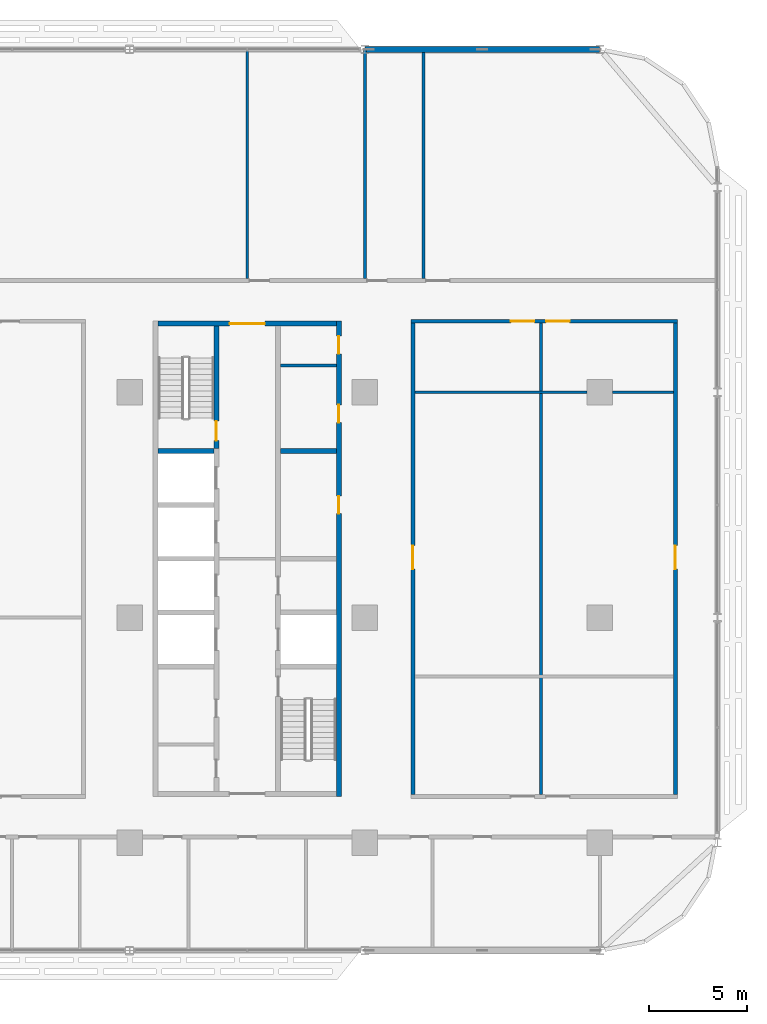
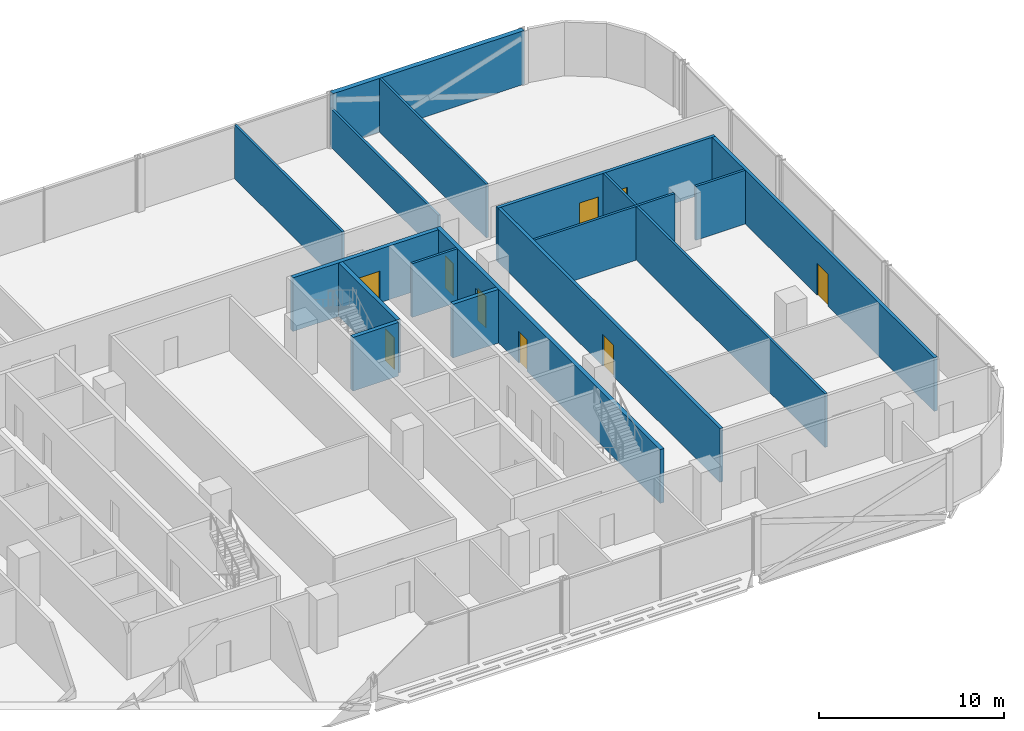
# One storey, part 18 of 29: 16 walls, 9 doors, 9 openings.
"""IFC4 building model written with IfcOpenShell, lengths in metres."""

from ifc_helpers import new_model, si_unit, direction, frame, frame_2d, origin, place, context, subcontext, project, spatial, rectangle, extrude, material, layer, layer_set, type_object, element, fill, save


model = new_model("IFC4")

# Units and contexts
model_context = context("Model", 3, precision=1e-05, world=origin(), true_north=direction((0.0, 1.0)))
body_context = subcontext(model_context, "Body", "Model", "MODEL_VIEW")
ifc_project = project(units=[si_unit("LENGTHUNIT", "METRE"), si_unit("AREAUNIT", "SQUARE_METRE"), si_unit("VOLUMEUNIT", "CUBIC_METRE"), si_unit("PLANEANGLEUNIT", "RADIAN"), si_unit("MASSUNIT", "GRAM", prefix="KILO")], contexts=[model_context])

# Site, building, storey
site_placement = place(None, origin())
site = spatial("IfcSite", under=ifc_project, at=site_placement, CompositionType="ELEMENT")
building_placement = place(site_placement, origin())
building = spatial("IfcBuilding", under=site, at=building_placement, Name="Mahtab Terrace Research Tower", CompositionType="ELEMENT")
storey_placement = place(building_placement, frame((0.0, 0.0, 150.699951171875)))
storey = spatial("IfcBuildingStorey", under=building, at=storey_placement, Name="L35", CompositionType="ELEMENT", Elevation=150.699951171875)

# Wall
ifc_material_1 = material(Name="Gypsum board partition")
ifc_layer_1 = layer(ifc_material_1, 0.14990234375)
ifc_layer_set_1 = layer_set([ifc_layer_1], Name="Core partition 150")
wall_type_1 = type_object("IfcWallType", Name="Core partition 150", PredefinedType="PARTITIONING", material=ifc_layer_set_1)
wall_1_placement = place(storey_placement, frame((25.699951171875, 12.875, 0.0), z_axis=(0.0, 0.0, 1.0), x_axis=(1.0, 0.0, 0.0)))
element("IfcWall", 1, at=wall_1_placement, inside=storey, type_object=wall_type_1, Name="Core wall C pEN988", PredefinedType="PARTITIONING", context=body_context, shape_type="SweptSolid", body=[
    extrude(rectangle(XDim=2.85009765625, YDim=0.14990234375, at=frame_2d((1.425048828125, 0.0))), origin(), (0.0, 0.0, 1.0), 3.550048828125),
])

# Wall, openings, doors
ifc_material_2 = material(Name="Concrete C70/85", Category="concrete")
ifc_layer_2 = layer(ifc_material_2, 0.25)
ifc_layer_set_2 = layer_set([ifc_layer_2], Name="Core wall 250")
wall_type_2 = type_object("IfcWallType", Name="Core wall 250", PredefinedType="SOLIDWALL", material=ifc_layer_set_2)
wall_2_placement = place(storey_placement, frame((28.675048828125, -9.125, 0.0), z_axis=(0.0, 0.0, 1.0), x_axis=(0.0, 1.0, 0.0)))
wall_2 = element("IfcWall", 2, at=wall_2_placement, inside=storey, type_object=wall_type_2, Name="Core wall C outerE", PredefinedType="SOLIDWALL", context=body_context, shape_type="SweptSolid", body=[
    extrude(rectangle(XDim=24.25, YDim=0.25, at=frame_2d((12.125, 0.0))), origin(), (0.0, 0.0, 1.0), 3.550048828125),
])
opening_1_placement = place(wall_2_placement, frame((14.425048828125, 0.0, 0.0)))
opening_1 = element("IfcOpeningElement", 3, at=opening_1_placement, cuts=wall_2, Name="Opening C-R2", PredefinedType="OPENING", context=body_context, shape_type="SweptSolid", body=[
    extrude(rectangle(XDim=0.89990234375, YDim=2.10009765625, at=frame_2d((0.449951171875, 1.050048828125))), frame((0.0, 0.135009765625, 0.0), z_axis=(0.0, -1.0, 0.0), x_axis=(1.0, 0.0, 0.0)), (0.0, 0.0, 1.0), 0.27001953125),
])
opening_2_placement = place(wall_2_placement, frame((19.074951171875, 0.0, 0.0)))
opening_2 = element("IfcOpeningElement", 4, at=opening_2_placement, cuts=wall_2, Name="Opening C-R5", PredefinedType="OPENING", context=body_context, shape_type="SweptSolid", body=[
    extrude(rectangle(XDim=0.89990234375, YDim=2.10009765625, at=frame_2d((0.449951171875, 1.050048828125))), frame((0.0, 0.135009765625, 0.0), z_axis=(0.0, -1.0, 0.0), x_axis=(1.0, 0.0, 0.0)), (0.0, 0.0, 1.0), 0.27001953125),
])
opening_3_placement = place(wall_2_placement, frame((22.58740234375, 0.0, 0.0)))
opening_3 = element("IfcOpeningElement", 5, at=opening_3_placement, cuts=wall_2, Name="Opening C-R6", PredefinedType="OPENING", context=body_context, shape_type="SweptSolid", body=[
    extrude(rectangle(XDim=0.89990234375, YDim=2.10009765625, at=frame_2d((0.449951171875, 1.050048828125))), frame((0.0, 0.135009765625, 0.0), z_axis=(0.0, -1.0, 0.0), x_axis=(1.0, 0.0, 0.0)), (0.0, 0.0, 1.0), 0.27001953125),
])
ifc_material_3 = material(Name="Steel fire door", Category="steel")
door_type_1 = type_object("IfcDoorType", Name="Room door 900x2100 1 HR", OperationType="NOTDEFINED", PredefinedType="DOOR", material=ifc_material_3)
door_1_placement = place(opening_1_placement, origin())
door_1 = element("IfcDoor", 6, at=door_1_placement, inside=storey, type_object=door_type_1, Name="Plant room door", OperationType="SINGLE_SWING_RIGHT", OverallHeight=2.10009765625, OverallWidth=0.89990234375, PredefinedType="DOOR", context=body_context, shape_type="SweptSolid", body=[
    extrude(rectangle(XDim=0.89990234375, YDim=2.10009765625, at=frame_2d((0.449951171875, 1.050048828125))), frame((0.0, 0.02490234375, 0.0), z_axis=(0.0, -1.0, 0.0), x_axis=(1.0, 0.0, 0.0)), (0.0, 0.0, 1.0), 0.050048828125),
])
fill(opening_1, door_1)
door_2_placement = place(opening_2_placement, origin())
door_2 = element("IfcDoor", 7, at=door_2_placement, inside=storey, type_object=door_type_1, Name="IT equipment room door", OperationType="SINGLE_SWING_LEFT", OverallHeight=2.10009765625, OverallWidth=0.89990234375, PredefinedType="DOOR", context=body_context, shape_type="SweptSolid", body=[
    extrude(rectangle(XDim=0.89990234375, YDim=2.10009765625, at=frame_2d((0.449951171875, 1.050048828125))), frame((0.0, 0.02490234375, 0.0), z_axis=(0.0, -1.0, 0.0), x_axis=(1.0, 0.0, 0.0)), (0.0, 0.0, 1.0), 0.050048828125),
])
fill(opening_2, door_2)
door_3_placement = place(opening_3_placement, origin())
door_3 = element("IfcDoor", 8, at=door_3_placement, inside=storey, type_object=door_type_1, Name="Electrical riser room door", OperationType="SINGLE_SWING_RIGHT", OverallHeight=2.10009765625, OverallWidth=0.89990234375, PredefinedType="DOOR", context=body_context, shape_type="SweptSolid", body=[
    extrude(rectangle(XDim=0.89990234375, YDim=2.10009765625, at=frame_2d((0.449951171875, 1.050048828125))), frame((0.0, 0.02490234375, 0.0), z_axis=(0.0, -1.0, 0.0), x_axis=(1.0, 0.0, 0.0)), (0.0, 0.0, 1.0), 0.050048828125),
])
fill(opening_3, door_3)

# Wall, opening, door
wall_3_placement = place(storey_placement, frame((19.449951171875, 15.0, 0.0), z_axis=(0.0, 0.0, 1.0), x_axis=(1.0, 0.0, 0.0)))
wall_3 = element("IfcWall", 9, at=wall_3_placement, inside=storey, type_object=wall_type_2, Name="Core wall C endN", PredefinedType="SOLIDWALL", context=body_context, shape_type="SweptSolid", body=[
    extrude(rectangle(XDim=9.10009765625, YDim=0.25, at=frame_2d((4.550048828125, 0.0))), origin(), (0.0, 0.0, 1.0), 3.550048828125),
])
opening_4_placement = place(wall_3_placement, frame((3.64990234375, 0.0, 0.0)))
opening_4 = element("IfcOpeningElement", 10, at=opening_4_placement, cuts=wall_3, Name="Opening C-N1", PredefinedType="OPENING", context=body_context, shape_type="SweptSolid", body=[
    extrude(rectangle(XDim=1.800048828125, YDim=2.10009765625, at=frame_2d((0.89990234375, 1.050048828125))), frame((0.0, 0.135009765625, 0.0), z_axis=(0.0, -1.0, 0.0), x_axis=(1.0, 0.0, 0.0)), (0.0, 0.0, 1.0), 0.27001953125),
])
door_type_2 = type_object("IfcDoorType", Name="Lobby double door 1800x2100 1 HR", OperationType="DOUBLE_DOOR_SINGLE_SWING", PredefinedType="DOOR", material=ifc_material_3)
door_4_placement = place(opening_4_placement, origin())
door_4 = element("IfcDoor", 11, at=door_4_placement, inside=storey, type_object=door_type_2, Name="Core entrance door C N", OperationType="DOUBLE_DOOR_SINGLE_SWING", OverallHeight=2.10009765625, OverallWidth=1.800048828125, PredefinedType="DOOR", context=body_context, shape_type="SweptSolid", body=[
    extrude(rectangle(XDim=1.800048828125, YDim=2.10009765625, at=frame_2d((0.89990234375, 1.050048828125))), frame((0.0, 0.02490234375, 0.0), z_axis=(0.0, -1.0, 0.0), x_axis=(1.0, 0.0, 0.0)), (0.0, 0.0, 1.0), 0.050048828125),
])
fill(opening_4, door_4)

wall_4_placement = place(storey_placement, frame((22.425048828125, 14.875, 0.0), z_axis=(0.0, 0.0, 1.0), x_axis=(0.0, -1.0, 0.0)))
wall_4 = element("IfcWall", 12, at=wall_4_placement, inside=storey, type_object=wall_type_2, Name="Core wall C innerWN", PredefinedType="SOLIDWALL", context=body_context, shape_type="SweptSolid", body=[
    extrude(rectangle(XDim=6.25, YDim=0.25, at=frame_2d((3.125, 0.0))), origin(), (0.0, 0.0, 1.0), 3.550048828125),
])
opening_5_placement = place(wall_4_placement, frame((4.85009765625, 0.0, 0.0)))
opening_5 = element("IfcOpeningElement", 13, at=opening_5_placement, cuts=wall_4, Name="Opening C-ST3", PredefinedType="OPENING", context=body_context, shape_type="SweptSolid", body=[
    extrude(rectangle(XDim=1.0, YDim=2.10009765625, at=frame_2d((0.5, 1.050048828125))), frame((0.0, 0.135009765625, 0.0), z_axis=(0.0, -1.0, 0.0), x_axis=(1.0, 0.0, 0.0)), (0.0, 0.0, 1.0), 0.27001953125),
])
door_type_3 = type_object("IfcDoorType", Name="Stair door 1000x2100 1.5 HR", OperationType="NOTDEFINED", PredefinedType="DOOR", material=ifc_material_3)
door_5_placement = place(opening_5_placement, origin())
door_5 = element("IfcDoor", 14, at=door_5_placement, inside=storey, type_object=door_type_3, Name="Stair door ST3 L35", OperationType="SINGLE_SWING_LEFT", OverallHeight=2.10009765625, OverallWidth=1.0, PredefinedType="DOOR", context=body_context, shape_type="SweptSolid", body=[
    extrude(rectangle(XDim=1.0, YDim=2.10009765625, at=frame_2d((0.5, 1.050048828125))), frame((0.0, 0.02490234375, 0.0), z_axis=(0.0, -1.0, 0.0), x_axis=(1.0, 0.0, 0.0)), (0.0, 0.0, 1.0), 0.050048828125),
])
fill(opening_5, door_5)

# Walls
for number, where, z_axis, x_axis, name in (
    (15, (19.449951171875, 8.5, 0.0), (0.0, 0.0, 1.0), (1.0, 0.0, 0.0), "Core wall C divW4"),
    (16, (25.699951171875, 8.5, 0.0), (0.0, 0.0, 1.0), (1.0, 0.0, 0.0), "Core wall C divE4"),
):
    element("IfcWall", number, at=place(storey_placement, frame(where, z_axis=z_axis, x_axis=x_axis)), inside=storey, type_object=wall_type_2, Name=name, PredefinedType="SOLIDWALL", context=body_context, shape_type="SweptSolid", body=[
        extrude(rectangle(XDim=2.85009765625, YDim=0.25, at=frame_2d((1.425048828125, 0.0))), origin(), (0.0, 0.0, 1.0), 3.550048828125),
    ])
ifc_material_4 = material(Name="Black aluminium cladding panel", Category="aluminium")
ifc_layer_3 = layer(ifc_material_4, 0.300048828125)
ifc_layer_set_3 = layer_set([ifc_layer_3], Name="Opaque facade wall 300")
wall_type_3 = type_object("IfcWallType", Name="Opaque facade wall 300", PredefinedType="NOTDEFINED", material=ifc_layer_set_3)
wall_5_placement = place(storey_placement, frame((41.982177734375, 29.0, 0.0), z_axis=(0.0, 0.0, 1.0), x_axis=(-1.0, 0.0, 0.0)))
element("IfcWall", 17, at=wall_5_placement, inside=storey, type_object=wall_type_3, Name="Opaque facade wall L35 N3", PredefinedType="NOTDEFINED", context=body_context, shape_type="SweptSolid", body=[
    extrude(rectangle(XDim=11.96435546875, YDim=0.300048828125, at=frame_2d((5.982177734375, 0.0))), origin(), (0.0, 0.0, 1.0), 3.550048828125),
])

# Wall, openings, doors
ifc_material_5 = material(Name="Gypsum board corridor wall on steel studs", Category="steel")
ifc_layer_4 = layer(ifc_material_5, 0.199951171875)
ifc_layer_set_4 = layer_set([ifc_layer_4], Name="WALL CORRIDOR 200")
wall_type_4 = type_object("IfcWallType", Name="WALL CORRIDOR 200", PredefinedType="PARTITIONING", material=ifc_layer_set_4)
wall_6_placement = place(storey_placement, frame((32.35009765625, 15.125, 0.0), z_axis=(0.0, 0.0, 1.0), x_axis=(1.0, 0.0, 0.0)))
wall_6 = element("IfcWall", 18, at=wall_6_placement, inside=storey, type_object=wall_type_4, Name="L35-W025", PredefinedType="PARTITIONING", context=body_context, shape_type="SweptSolid", body=[
    extrude(rectangle(XDim=13.599853515625, YDim=0.199951171875, at=frame_2d((6.7998046875, 0.0))), origin(), (0.0, 0.0, 1.0), 3.550048828125),
])
opening_6_placement = place(wall_6_placement, frame((5.10009765625, 0.0, 0.0)))
opening_6 = element("IfcOpeningElement", 19, at=opening_6_placement, cuts=wall_6, Name="Opening L35-129", PredefinedType="OPENING", context=body_context, shape_type="SweptSolid", body=[
    extrude(rectangle(XDim=1.199951171875, YDim=2.10009765625, at=frame_2d((0.60009765625, 1.050048828125))), frame((0.0, 0.10986328125, 0.0), z_axis=(0.0, -1.0, 0.0), x_axis=(1.0, 0.0, 0.0)), (0.0, 0.0, 1.0), 0.219970703125),
])
opening_7_placement = place(wall_6_placement, frame((6.89990234375, 0.0, 0.0)))
opening_7 = element("IfcOpeningElement", 20, at=opening_7_placement, cuts=wall_6, Name="Opening L35-130", PredefinedType="OPENING", context=body_context, shape_type="SweptSolid", body=[
    extrude(rectangle(XDim=1.199951171875, YDim=2.10009765625, at=frame_2d((0.60009765625, 1.050048828125))), frame((0.0, 0.10986328125, 0.0), z_axis=(0.0, -1.0, 0.0), x_axis=(1.0, 0.0, 0.0)), (0.0, 0.0, 1.0), 0.219970703125),
])
ifc_material_6 = material(Name="Timber door leaf in steel frame", Category="steel")
door_type_4 = type_object("IfcDoorType", Name="DOOR 1200X2100 FD30S", OperationType="SINGLE_SWING_LEFT", PredefinedType="DOOR", material=ifc_material_6)
door_6_placement = place(opening_6_placement, origin())
door_6 = element("IfcDoor", 21, at=door_6_placement, inside=storey, type_object=door_type_4, Name="Door L35-129", OperationType="SINGLE_SWING_RIGHT", OverallHeight=2.10009765625, OverallWidth=1.199951171875, PredefinedType="DOOR", context=body_context, shape_type="SweptSolid", body=[
    extrude(rectangle(XDim=1.199951171875, YDim=2.10009765625, at=frame_2d((0.60009765625, 1.050048828125))), frame((0.0, 0.02490234375, 0.0), z_axis=(0.0, -1.0, 0.0), x_axis=(1.0, 0.0, 0.0)), (0.0, 0.0, 1.0), 0.050048828125),
])
fill(opening_6, door_6)
door_7_placement = place(opening_7_placement, origin())
door_7 = element("IfcDoor", 22, at=door_7_placement, inside=storey, type_object=door_type_4, Name="Door L35-130", OperationType="SINGLE_SWING_LEFT", OverallHeight=2.10009765625, OverallWidth=1.199951171875, PredefinedType="DOOR", context=body_context, shape_type="SweptSolid", body=[
    extrude(rectangle(XDim=1.199951171875, YDim=2.10009765625, at=frame_2d((0.60009765625, 1.050048828125))), frame((0.0, 0.02490234375, 0.0), z_axis=(0.0, -1.0, 0.0), x_axis=(1.0, 0.0, 0.0)), (0.0, 0.0, 1.0), 0.050048828125),
])
fill(opening_7, door_7)

# Wall, opening, door
wall_7_placement = place(storey_placement, frame((32.449951171875, -9.02490234375, 0.0), z_axis=(0.0, 0.0, 1.0), x_axis=(0.0, 1.0, 0.0)))
wall_7 = element("IfcWall", 23, at=wall_7_placement, inside=storey, type_object=wall_type_4, Name="L35-W054", PredefinedType="PARTITIONING", context=body_context, shape_type="SweptSolid", body=[
    extrude(rectangle(XDim=24.0498046875, YDim=0.199951171875, at=frame_2d((12.02490234375, 0.0))), origin(), (0.0, 0.0, 1.0), 3.550048828125),
])
opening_8_placement = place(wall_7_placement, frame((11.5, 0.0, 0.0)))
opening_8 = element("IfcOpeningElement", 24, at=opening_8_placement, cuts=wall_7, Name="Opening L35-123", PredefinedType="OPENING", context=body_context, shape_type="SweptSolid", body=[
    extrude(rectangle(XDim=1.199951171875, YDim=2.10009765625, at=frame_2d((0.60009765625, 1.050048828125))), frame((0.0, 0.10986328125, 0.0), z_axis=(0.0, -1.0, 0.0), x_axis=(1.0, 0.0, 0.0)), (0.0, 0.0, 1.0), 0.219970703125),
])
door_8_placement = place(opening_8_placement, origin())
door_8 = element("IfcDoor", 25, at=door_8_placement, inside=storey, type_object=door_type_4, Name="Door L35-123", OperationType="SINGLE_SWING_LEFT", OverallHeight=2.10009765625, OverallWidth=1.199951171875, PredefinedType="DOOR", context=body_context, shape_type="SweptSolid", body=[
    extrude(rectangle(XDim=1.199951171875, YDim=2.10009765625, at=frame_2d((0.60009765625, 1.050048828125))), frame((0.0, 0.02490234375, 0.0), z_axis=(0.0, -1.0, 0.0), x_axis=(1.0, 0.0, 0.0)), (0.0, 0.0, 1.0), 0.050048828125),
])
fill(opening_8, door_8)

wall_8_placement = place(storey_placement, frame((45.85009765625, -9.02490234375, 0.0), z_axis=(0.0, 0.0, 1.0), x_axis=(0.0, 1.0, 0.0)))
wall_8 = element("IfcWall", 26, at=wall_8_placement, inside=storey, type_object=wall_type_4, Name="L35-W059", PredefinedType="PARTITIONING", context=body_context, shape_type="SweptSolid", body=[
    extrude(rectangle(XDim=24.0498046875, YDim=0.199951171875, at=frame_2d((12.02490234375, 0.0))), origin(), (0.0, 0.0, 1.0), 3.550048828125),
])
opening_9_placement = place(wall_8_placement, frame((11.5, 0.0, 0.0)))
opening_9 = element("IfcOpeningElement", 27, at=opening_9_placement, cuts=wall_8, Name="Opening L35-124", PredefinedType="OPENING", context=body_context, shape_type="SweptSolid", body=[
    extrude(rectangle(XDim=1.199951171875, YDim=2.10009765625, at=frame_2d((0.60009765625, 1.050048828125))), frame((0.0, 0.10986328125, 0.0), z_axis=(0.0, -1.0, 0.0), x_axis=(1.0, 0.0, 0.0)), (0.0, 0.0, 1.0), 0.219970703125),
])
door_9_placement = place(opening_9_placement, origin())
door_9 = element("IfcDoor", 28, at=door_9_placement, inside=storey, type_object=door_type_4, Name="Door L35-124", OperationType="SINGLE_SWING_RIGHT", OverallHeight=2.10009765625, OverallWidth=1.199951171875, PredefinedType="DOOR", context=body_context, shape_type="SweptSolid", body=[
    extrude(rectangle(XDim=1.199951171875, YDim=2.10009765625, at=frame_2d((0.60009765625, 1.050048828125))), frame((0.0, 0.02490234375, 0.0), z_axis=(0.0, -1.0, 0.0), x_axis=(1.0, 0.0, 0.0)), (0.0, 0.0, 1.0), 0.050048828125),
])
fill(opening_9, door_9)

# Walls
ifc_material_7 = material(Name="Gypsum board partition on steel studs", Category="steel")
ifc_layer_5 = layer(ifc_material_7, 0.14990234375)
ifc_layer_set_5 = layer_set([ifc_layer_5], Name="WALL PARTITION 150")
wall_type_5 = type_object("IfcWallType", Name="WALL PARTITION 150", PredefinedType="PARTITIONING", material=ifc_layer_set_5)
wall_9_placement = place(storey_placement, frame((32.550048828125, 11.5, 0.0), z_axis=(0.0, 0.0, 1.0), x_axis=(1.0, 0.0, 0.0)))
element("IfcWall", 29, at=wall_9_placement, inside=storey, type_object=wall_type_5, Name="L35-W020", PredefinedType="PARTITIONING", context=body_context, shape_type="SweptSolid", body=[
    extrude(rectangle(XDim=8.800048828125, YDim=0.14990234375, at=frame_2d((4.39990234375, 0.0))), origin(), (0.0, 0.0, 1.0), 3.550048828125),
])
wall_10_placement = place(storey_placement, frame((42.64990234375, 11.5, 0.0), z_axis=(0.0, 0.0, 1.0), x_axis=(1.0, 0.0, 0.0)))
element("IfcWall", 30, at=wall_10_placement, inside=storey, type_object=wall_type_5, Name="L35-W021", PredefinedType="PARTITIONING", context=body_context, shape_type="SweptSolid", body=[
    extrude(rectangle(XDim=3.10009765625, YDim=0.14990234375, at=frame_2d((1.550048828125, 0.0))), origin(), (0.0, 0.0, 1.0), 3.550048828125),
])
wall_11_placement = place(storey_placement, frame((24.0, 17.300048828125, 0.0), z_axis=(0.0, 0.0, 1.0), x_axis=(0.0, 1.0, 0.0)))
element("IfcWall", 31, at=wall_11_placement, inside=storey, type_object=wall_type_5, Name="L35-W051", PredefinedType="PARTITIONING", context=body_context, shape_type="SweptSolid", body=[
    extrude(rectangle(XDim=11.675048828125, YDim=0.14990234375, at=frame_2d((5.83740234375, 0.0))), origin(), (0.0, 0.0, 1.0), 3.550048828125),
])
wall_12_placement = place(storey_placement, frame((30.0, 17.300048828125, 0.0), z_axis=(0.0, 0.0, 1.0), x_axis=(0.0, 1.0, 0.0)))
element("IfcWall", 32, at=wall_12_placement, inside=storey, type_object=wall_type_5, Name="L35-W053", PredefinedType="PARTITIONING", context=body_context, shape_type="SweptSolid", body=[
    extrude(rectangle(XDim=11.675048828125, YDim=0.14990234375, at=frame_2d((5.83740234375, 0.0))), origin(), (0.0, 0.0, 1.0), 2.55126953125),
])
wall_13_placement = place(storey_placement, frame((33.0, 17.300048828125, 0.0), z_axis=(0.0, 0.0, 1.0), x_axis=(0.0, 1.0, 0.0)))
element("IfcWall", 33, at=wall_13_placement, inside=storey, type_object=wall_type_5, Name="L35-W055", PredefinedType="PARTITIONING", context=body_context, shape_type="SweptSolid", body=[
    extrude(rectangle(XDim=11.550048828125, YDim=0.14990234375, at=frame_2d((5.77490234375, 0.0))), origin(), (0.0, 0.0, 1.0), 3.550048828125),
])
wall_14_placement = place(storey_placement, frame((39.0, -9.02490234375, 0.0), z_axis=(0.0, 0.0, 1.0), x_axis=(0.0, 1.0, 0.0)))
element("IfcWall", 34, at=wall_14_placement, inside=storey, type_object=wall_type_5, Name="L35-W057", PredefinedType="PARTITIONING", context=body_context, shape_type="SweptSolid", body=[
    extrude(rectangle(XDim=24.0498046875, YDim=0.14990234375, at=frame_2d((12.02490234375, 0.0))), origin(), (0.0, 0.0, 1.0), 3.550048828125),
])

save(model, "model.ifc")
